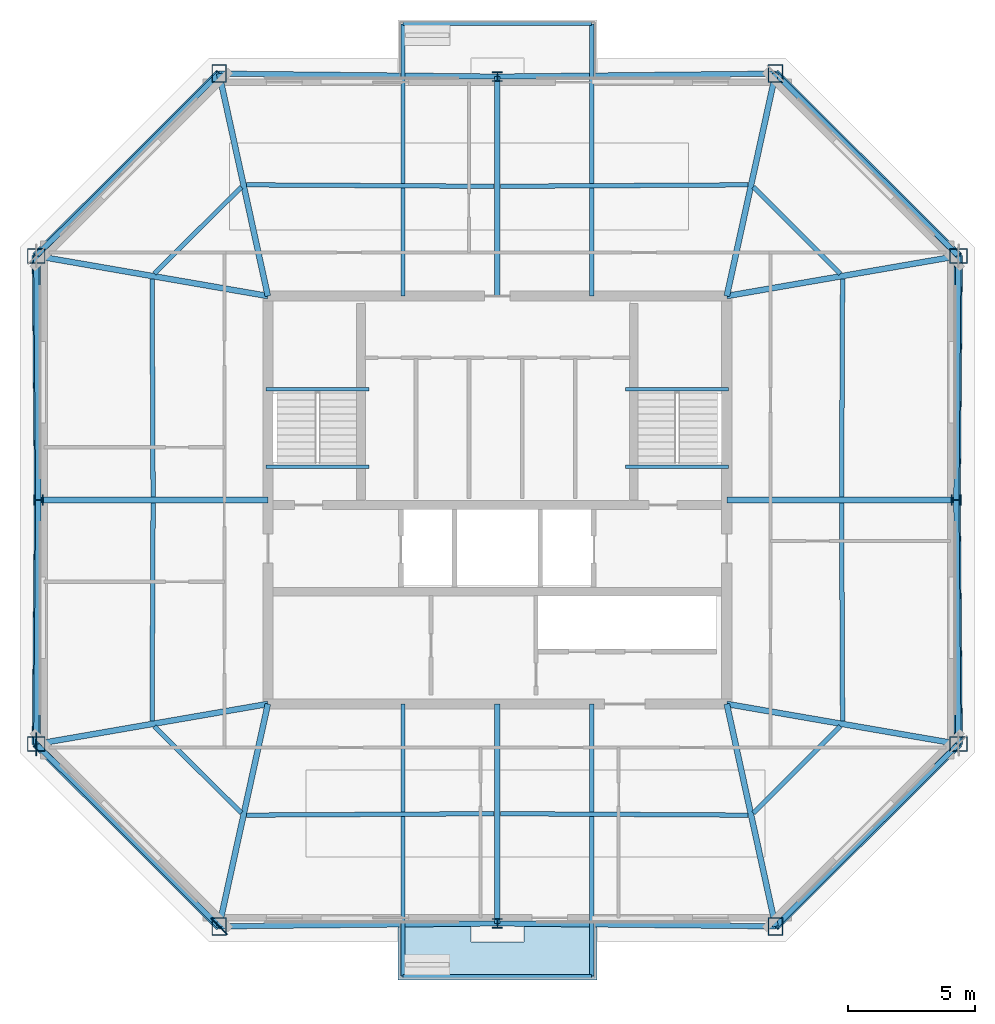
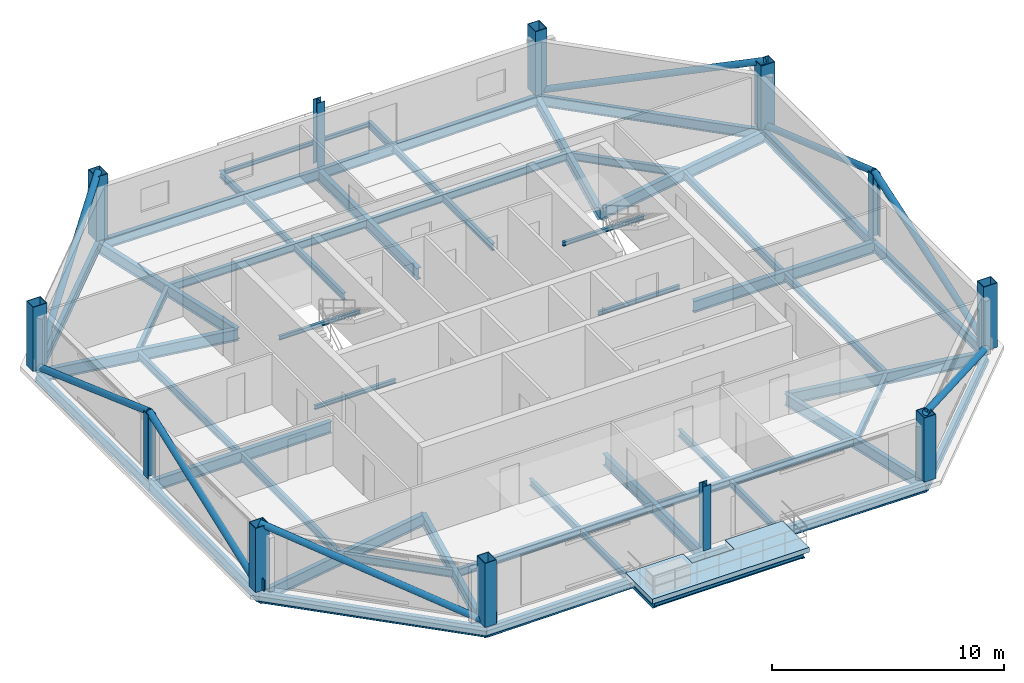
# One storey, part 1 of 6: 46 beams, 12 columns, 8 members, 2 plates, 1 slab.
"""IFC4 building model written with IfcOpenShell, lengths in metres."""

from ifc_helpers import new_model, si_unit, direction, frame, origin, origin_2d, place, context, subcontext, project, spatial, polyline, rectangle, hollow_rectangle, hollow_circle, i_section, outline, extrude, material, layer, layer_set, material_profile, profile_set, type_object, element, save


model = new_model("IFC4")

# Units and contexts
model_context = context("Model", 3, precision=1e-05, world=origin(), true_north=direction((0.0, 1.0)))
body_context = subcontext(model_context, "Body", "Model", "MODEL_VIEW")
ifc_project = project(units=[si_unit("LENGTHUNIT", "METRE"), si_unit("AREAUNIT", "SQUARE_METRE"), si_unit("VOLUMEUNIT", "CUBIC_METRE"), si_unit("PLANEANGLEUNIT", "RADIAN"), si_unit("MASSUNIT", "GRAM", prefix="KILO")], contexts=[model_context])

# Site, building, storey
site_placement = place(None, origin())
site = spatial("IfcSite", under=ifc_project, at=site_placement, CompositionType="ELEMENT")
building_placement = place(site_placement, origin())
building = spatial("IfcBuilding", under=site, at=building_placement, Name="Caelvoria Tower", CompositionType="ELEMENT")
storey_placement = place(building_placement, frame((0.0, 0.0, 261.0)))
storey = spatial("IfcBuildingStorey", under=building, at=storey_placement, Name="L69", CompositionType="ELEMENT", Elevation=261.0)

# Columns
ifc_material_1 = material(Name="Structural Steel ASTM A572 Gr.50", Category="steel")
ifc_material_profile_1 = material_profile(ifc_material_1, hollow_rectangle(XDim=0.580078125, YDim=0.699951171875, WallThickness=0.031982421875, at=origin_2d()), Name="Structural Steel ASTM A572 Gr.50")
ifc_profile_set_1 = profile_set([ifc_material_profile_1], Name="BOX700X580X32 - Structural Steel ASTM A572 Gr.50")
column_type_1 = type_object("IfcColumnType", Name="Mega Box Column 700x580x32", PredefinedType="COLUMN", material=ifc_profile_set_1)
for number, where, z_axis, x_axis, name in (
    (1, (35.0888671875, 15.275634765625, 0.0), (0.0, 0.0, 1.0), (1.0, 0.0, 0.0), "Perimeter Megaframe Column L69-P00"),
    (2, (56.9111328125, 15.275634765625, 0.0), (0.0, 0.0, 1.0), (1.0, 0.0, 0.0), "Perimeter Megaframe Column L69-P02"),
    (3, (64.086181640625, 22.427734375, 0.0), (0.0, 0.0, 1.0), (0.0, 1.0, 0.0), "Perimeter Megaframe Column L69-P03"),
    (4, (64.086181640625, 41.572265625, 0.0), (0.0, 0.0, 1.0), (0.0, 1.0, 0.0), "Perimeter Megaframe Column L69-P05"),
    (5, (56.9111328125, 48.724365234375, 0.0), (0.0, 0.0, 1.0), (1.0, 0.0, 0.0), "Perimeter Megaframe Column L69-P06"),
    (6, (35.0888671875, 48.724365234375, 0.0), (0.0, 0.0, 1.0), (1.0, 0.0, 0.0), "Perimeter Megaframe Column L69-P08"),
    (7, (27.913818359375, 41.572265625, 0.0), (0.0, 0.0, 1.0), (0.0, 1.0, 0.0), "Perimeter Megaframe Column L69-P09"),
    (8, (27.913818359375, 22.427734375, 0.0), (0.0, 0.0, 1.0), (0.0, 1.0, 0.0), "Perimeter Megaframe Column L69-P11"),
):
    element("IfcColumn", number, at=place(storey_placement, frame(where, z_axis=z_axis, x_axis=x_axis)), inside=storey, type_object=column_type_1, Name=name, PredefinedType="COLUMN", context=body_context, shape_type="SweptSolid", body=[
        extrude(hollow_rectangle(XDim=0.580078125, YDim=0.699951171875, WallThickness=0.031982421875, at=origin_2d()), origin(), (0.0, 0.0, 1.0), 3.373046875),
    ])
ifc_material_2 = material(Name="Structural Steel ASTM A992 Gr.50", Category="steel")
ifc_material_profile_2 = material_profile(ifc_material_2, i_section(OverallWidth=0.39501953125, OverallDepth=0.3798828125, WebThickness=0.018798828125, FlangeThickness=0.0302734375, FilletRadius=0.02490234375, at=origin_2d()), Name="Structural Steel ASTM A992 Gr.50")
ifc_profile_set_2 = profile_set([ifc_material_profile_2], Name="W360X237 - Structural Steel ASTM A992 Gr.50")
column_type_2 = type_object("IfcColumnType", Name="Summit Frame Column W360X237", PredefinedType="COLUMN", material=ifc_profile_set_2)
for number, where, z_axis, x_axis, name in (
    (9, (46.0, 15.392578125, 0.0), (0.0, 0.0, 1.0), (1.0, 0.0, 0.0), "Perimeter Megaframe Column L69-P01"),
    (10, (64.002685546875, 32.0, 0.0), (0.0, 0.0, 1.0), (0.0, 1.0, 0.0), "Perimeter Megaframe Column L69-P04"),
    (11, (46.0, 48.607421875, 0.0), (0.0, 0.0, 1.0), (1.0, 0.0, 0.0), "Perimeter Megaframe Column L69-P07"),
    (12, (27.997314453125, 32.0, 0.0), (0.0, 0.0, 1.0), (0.0, 1.0, 0.0), "Perimeter Megaframe Column L69-P10"),
):
    element("IfcColumn", number, at=place(storey_placement, frame(where, z_axis=z_axis, x_axis=x_axis)), inside=storey, type_object=column_type_2, Name=name, PredefinedType="COLUMN", context=body_context, shape_type="SweptSolid", body=[
        extrude(i_section(OverallWidth=0.39501953125, OverallDepth=0.3798828125, WebThickness=0.018798828125, FlangeThickness=0.0302734375, FilletRadius=0.02490234375, at=origin_2d()), origin(), (0.0, 0.0, 1.0), 3.373046875),
    ])

# Beams
ifc_material_profile_3 = material_profile(ifc_material_2, i_section(OverallWidth=0.134033203125, OverallDepth=0.2099609375, WebThickness=0.00634765625, FlangeThickness=0.01025390625, FilletRadius=0.010009765625, at=origin_2d()), Name="Structural Steel ASTM A992 Gr.50")
ifc_profile_set_3 = profile_set([ifc_material_profile_3], Name="W200X31.3 - Structural Steel ASTM A992 Gr.50")
beam_type_1 = type_object("IfcBeamType", Name="Canopy Edge Trim Beam W200X31.3", PredefinedType="BEAM", material=ifc_profile_set_3)
for number, where, z_axis, x_axis, name in (
    (13, (42.300048828125, 13.32275390625, -0.428955078125), (1.0, 0.0, 0.0), (0.0, 1.0, 0.0), "Tree Balcony Edge Beam TB-L69-S"),
    (14, (42.300048828125, 50.67724609375, -0.428955078125), (1.0, 0.0, 0.0), (0.0, 1.0, 0.0), "Tree Balcony Edge Beam TB-L69-N"),
):
    element("IfcBeam", number, at=place(storey_placement, frame(where, z_axis=z_axis, x_axis=x_axis)), inside=storey, type_object=beam_type_1, Name=name, PredefinedType="BEAM", context=body_context, shape_type="SweptSolid", body=[
        extrude(i_section(OverallWidth=0.134033203125, OverallDepth=0.2099609375, WebThickness=0.00634765625, FlangeThickness=0.01025390625, FilletRadius=0.010009765625, at=origin_2d()), origin(), (0.0, 0.0, 1.0), 7.39990234375),
    ])
for number, where, z_axis, x_axis, name in (
    (15, (36.929931640625, 36.35009765625, 1.4951171875), (1.0, 0.0, 0.0), (0.0, 1.0, 0.0), "ST-01 Half-Landing Support Beam L69"),
    (16, (36.929931640625, 33.300048828125, -0.304931640625), (1.0, 0.0, 0.0), (0.0, 1.0, 0.0), "ST-01 Floor-Landing Support Beam L69"),
    (17, (51.030029296875, 36.35009765625, 1.4951171875), (1.0, 0.0, 0.0), (0.0, 1.0, 0.0), "ST-02 Half-Landing Support Beam L69"),
    (18, (51.030029296875, 33.300048828125, -0.304931640625), (1.0, 0.0, 0.0), (0.0, 1.0, 0.0), "ST-02 Floor-Landing Support Beam L69"),
):
    element("IfcBeam", number, at=place(storey_placement, frame(where, z_axis=z_axis, x_axis=x_axis)), inside=storey, type_object=beam_type_1, Name=name, PredefinedType="BEAM", context=body_context, shape_type="SweptSolid", body=[
        extrude(i_section(OverallWidth=0.134033203125, OverallDepth=0.2099609375, WebThickness=0.00634765625, FlangeThickness=0.01025390625, FilletRadius=0.010009765625, at=origin_2d()), origin(), (0.0, 0.0, 1.0), 4.0400390625),
    ])
ifc_material_profile_4 = material_profile(ifc_material_2, i_section(OverallWidth=0.22802734375, OverallDepth=0.60302734375, WebThickness=0.010498046875, FlangeThickness=0.014892578125, FilletRadius=0.01806640625, at=origin_2d()), Name="Structural Steel ASTM A992 Gr.50")
ifc_profile_set_4 = profile_set([ifc_material_profile_4], Name="W610X101 - Structural Steel ASTM A992 Gr.50")
beam_type_2 = type_object("IfcBeamType", Name="Primary Floor Girder W610X101", PredefinedType="BEAM", material=ifc_profile_set_4)
beam_1_placement = place(storey_placement, frame((37.0, 24.0, -0.526611328125), z_axis=(-0.213983014438, -0.976837381314, 0.0), x_axis=(0.976837381314, -0.213983014438, 0.0)))
element("IfcBeam", 19, at=beam_1_placement, inside=storey, type_object=beam_type_2, Name="Primary Floor Girder L69-00", PredefinedType="BEAM", context=body_context, shape_type="SweptSolid", body=[
    extrude(i_section(OverallWidth=0.22802734375, OverallDepth=0.60302734375, WebThickness=0.010498046875, FlangeThickness=0.014892578125, FilletRadius=0.01806640625, at=origin_2d()), origin(), (0.0, 0.0, 1.0), 8.93115234375),
])
beam_2_placement = place(storey_placement, frame((46.0, 24.0, -0.526611328125), z_axis=(0.0, -1.0, 0.0), x_axis=(1.0, 0.0, 0.0)))
element("IfcBeam", 20, at=beam_2_placement, inside=storey, type_object=beam_type_2, Name="Primary Floor Girder L69-01", PredefinedType="BEAM", context=body_context, shape_type="SweptSolid", body=[
    extrude(i_section(OverallWidth=0.22802734375, OverallDepth=0.60302734375, WebThickness=0.010498046875, FlangeThickness=0.014892578125, FilletRadius=0.01806640625, at=origin_2d()), origin(), (0.0, 0.0, 1.0), 8.607421875),
])
beam_3_placement = place(storey_placement, frame((55.0, 24.0, -0.526611328125), z_axis=(0.213983014438, -0.976837381314, 0.0), x_axis=(0.976837381314, 0.213983014438, 0.0)))
element("IfcBeam", 21, at=beam_3_placement, inside=storey, type_object=beam_type_2, Name="Primary Floor Girder L69-02", PredefinedType="BEAM", context=body_context, shape_type="SweptSolid", body=[
    extrude(i_section(OverallWidth=0.22802734375, OverallDepth=0.60302734375, WebThickness=0.010498046875, FlangeThickness=0.014892578125, FilletRadius=0.01806640625, at=origin_2d()), origin(), (0.0, 0.0, 1.0), 8.93115234375),
])
beam_4_placement = place(storey_placement, frame((55.0, 24.0, -0.526611328125), z_axis=(0.985356751055, -0.170505346395, 0.0), x_axis=(0.170505346395, 0.985356751055, 0.0)))
element("IfcBeam", 22, at=beam_4_placement, inside=storey, type_object=beam_type_2, Name="Primary Floor Girder L69-03", PredefinedType="BEAM", context=body_context, shape_type="SweptSolid", body=[
    extrude(i_section(OverallWidth=0.22802734375, OverallDepth=0.60302734375, WebThickness=0.010498046875, FlangeThickness=0.014892578125, FilletRadius=0.01806640625, at=origin_2d()), origin(), (0.0, 0.0, 1.0), 9.22119140625),
])
beam_5_placement = place(storey_placement, frame((55.0, 32.0, -0.526611328125), z_axis=(1.0, 0.0, 0.0), x_axis=(0.0, 1.0, 0.0)))
element("IfcBeam", 23, at=beam_5_placement, inside=storey, type_object=beam_type_2, Name="Primary Floor Girder L69-04", PredefinedType="BEAM", context=body_context, shape_type="SweptSolid", body=[
    extrude(i_section(OverallWidth=0.22802734375, OverallDepth=0.60302734375, WebThickness=0.010498046875, FlangeThickness=0.014892578125, FilletRadius=0.01806640625, at=origin_2d()), origin(), (0.0, 0.0, 1.0), 9.002685546875),
])
beam_6_placement = place(storey_placement, frame((55.0, 40.0, -0.526611328125), z_axis=(0.985356751055, 0.170505346395, 0.0), x_axis=(-0.170505346395, 0.985356751055, 0.0)))
element("IfcBeam", 24, at=beam_6_placement, inside=storey, type_object=beam_type_2, Name="Primary Floor Girder L69-05", PredefinedType="BEAM", context=body_context, shape_type="SweptSolid", body=[
    extrude(i_section(OverallWidth=0.22802734375, OverallDepth=0.60302734375, WebThickness=0.010498046875, FlangeThickness=0.014892578125, FilletRadius=0.01806640625, at=origin_2d()), origin(), (0.0, 0.0, 1.0), 9.22119140625),
])
beam_7_placement = place(storey_placement, frame((55.0, 40.0, -0.526611328125), z_axis=(0.213983014438, 0.976837381314, 0.0), x_axis=(-0.976837381314, 0.213983014438, 0.0)))
element("IfcBeam", 25, at=beam_7_placement, inside=storey, type_object=beam_type_2, Name="Primary Floor Girder L69-06", PredefinedType="BEAM", context=body_context, shape_type="SweptSolid", body=[
    extrude(i_section(OverallWidth=0.22802734375, OverallDepth=0.60302734375, WebThickness=0.010498046875, FlangeThickness=0.014892578125, FilletRadius=0.01806640625, at=origin_2d()), origin(), (0.0, 0.0, 1.0), 8.93115234375),
])
beam_8_placement = place(storey_placement, frame((46.0, 40.0, -0.526611328125), z_axis=(0.0, 1.0, 0.0), x_axis=(-1.0, 0.0, 0.0)))
element("IfcBeam", 26, at=beam_8_placement, inside=storey, type_object=beam_type_2, Name="Primary Floor Girder L69-07", PredefinedType="BEAM", context=body_context, shape_type="SweptSolid", body=[
    extrude(i_section(OverallWidth=0.22802734375, OverallDepth=0.60302734375, WebThickness=0.010498046875, FlangeThickness=0.014892578125, FilletRadius=0.01806640625, at=origin_2d()), origin(), (0.0, 0.0, 1.0), 8.607421875),
])
beam_9_placement = place(storey_placement, frame((37.0, 40.0, -0.526611328125), z_axis=(-0.213983014438, 0.976837381314, 0.0), x_axis=(-0.976837381314, -0.213983014438, 0.0)))
element("IfcBeam", 27, at=beam_9_placement, inside=storey, type_object=beam_type_2, Name="Primary Floor Girder L69-08", PredefinedType="BEAM", context=body_context, shape_type="SweptSolid", body=[
    extrude(i_section(OverallWidth=0.22802734375, OverallDepth=0.60302734375, WebThickness=0.010498046875, FlangeThickness=0.014892578125, FilletRadius=0.01806640625, at=origin_2d()), origin(), (0.0, 0.0, 1.0), 8.93115234375),
])
beam_10_placement = place(storey_placement, frame((37.0, 40.0, -0.526611328125), z_axis=(-0.985356751055, 0.170505346395, 0.0), x_axis=(-0.170505346395, -0.985356751055, 0.0)))
element("IfcBeam", 28, at=beam_10_placement, inside=storey, type_object=beam_type_2, Name="Primary Floor Girder L69-09", PredefinedType="BEAM", context=body_context, shape_type="SweptSolid", body=[
    extrude(i_section(OverallWidth=0.22802734375, OverallDepth=0.60302734375, WebThickness=0.010498046875, FlangeThickness=0.014892578125, FilletRadius=0.01806640625, at=origin_2d()), origin(), (0.0, 0.0, 1.0), 9.22119140625),
])
beam_11_placement = place(storey_placement, frame((37.0, 32.0, -0.526611328125), z_axis=(-1.0, 0.0, 0.0), x_axis=(0.0, -1.0, 0.0)))
element("IfcBeam", 29, at=beam_11_placement, inside=storey, type_object=beam_type_2, Name="Primary Floor Girder L69-10", PredefinedType="BEAM", context=body_context, shape_type="SweptSolid", body=[
    extrude(i_section(OverallWidth=0.22802734375, OverallDepth=0.60302734375, WebThickness=0.010498046875, FlangeThickness=0.014892578125, FilletRadius=0.01806640625, at=origin_2d()), origin(), (0.0, 0.0, 1.0), 9.002685546875),
])
beam_12_placement = place(storey_placement, frame((37.0, 24.0, -0.526611328125), z_axis=(-0.985356751055, -0.170505346395, 0.0), x_axis=(0.170505346395, -0.985356751055, 0.0)))
element("IfcBeam", 30, at=beam_12_placement, inside=storey, type_object=beam_type_2, Name="Primary Floor Girder L69-11", PredefinedType="BEAM", context=body_context, shape_type="SweptSolid", body=[
    extrude(i_section(OverallWidth=0.22802734375, OverallDepth=0.60302734375, WebThickness=0.010498046875, FlangeThickness=0.014892578125, FilletRadius=0.01806640625, at=origin_2d()), origin(), (0.0, 0.0, 1.0), 9.22119140625),
])
ifc_material_profile_5 = material_profile(ifc_material_2, i_section(OverallWidth=0.177978515625, OverallDepth=0.406982421875, WebThickness=0.0078125, FlangeThickness=0.0126953125, FilletRadius=0.013916015625, at=origin_2d()), Name="Structural Steel ASTM A992 Gr.50")
ifc_profile_set_5 = profile_set([ifc_material_profile_5], Name="W410X60 - Structural Steel ASTM A992 Gr.50")
beam_type_3 = type_object("IfcBeamType", Name="Secondary Floor Beam W410X60", PredefinedType="BEAM", material=ifc_profile_set_5)
for number, where, z_axis, x_axis, name in (
    (31, (36.16943359375, 19.638671875, -0.428466796875), (0.999982824516, 0.005860944763, 0.0), (-0.005860944763, 0.999982824516, 0.0), "Secondary Floor Beam L69-00"),
    (32, (46.125, 19.695556640625, -0.428466796875), (0.999982824516, -0.005860944763, 0.0), (0.005860944763, 0.999982824516, 0.0), "Secondary Floor Beam L69-01"),
):
    element("IfcBeam", number, at=place(storey_placement, frame(where, z_axis=z_axis, x_axis=x_axis)), inside=storey, type_object=beam_type_3, Name=name, PredefinedType="BEAM", context=body_context, shape_type="SweptSolid", body=[
        extrude(i_section(OverallWidth=0.177978515625, OverallDepth=0.406982421875, WebThickness=0.0078125, FlangeThickness=0.0126953125, FilletRadius=0.013916015625, at=origin_2d()), origin(), (0.0, 0.0, 1.0), 9.705810546875),
    ])
beam_13_placement = place(storey_placement, frame((56.044189453125, 19.72607421875, -0.428466796875), z_axis=(0.70822129044, 0.705990512519, 0.0), x_axis=(-0.705990512519, 0.70822129044, 0.0)))
element("IfcBeam", 33, at=beam_13_placement, inside=storey, type_object=beam_type_3, Name="Secondary Floor Beam L69-02", PredefinedType="BEAM", context=body_context, shape_type="SweptSolid", body=[
    extrude(i_section(OverallWidth=0.177978515625, OverallDepth=0.406982421875, WebThickness=0.0078125, FlangeThickness=0.0126953125, FilletRadius=0.013916015625, at=origin_2d()), origin(), (0.0, 0.0, 1.0), 4.8154296875),
])
for number, where, z_axis, x_axis, name in (
    (34, (59.54248046875, 23.3388671875, -0.428466796875), (-0.004747687025, 0.99998872967, 0.0), (-0.99998872967, -0.004747687025, 0.0), "Secondary Floor Beam L69-03"),
    (35, (59.501953125, 32.125, -0.428466796875), (0.004747687025, 0.99998872967, 0.0), (-0.99998872967, 0.004747687025, 0.0), "Secondary Floor Beam L69-04"),
):
    element("IfcBeam", number, at=place(storey_placement, frame(where, z_axis=z_axis, x_axis=x_axis)), inside=storey, type_object=beam_type_3, Name=name, PredefinedType="BEAM", context=body_context, shape_type="SweptSolid", body=[
        extrude(i_section(OverallWidth=0.177978515625, OverallDepth=0.406982421875, WebThickness=0.0078125, FlangeThickness=0.0126953125, FilletRadius=0.013916015625, at=origin_2d()), origin(), (0.0, 0.0, 1.0), 8.5361328125),
    ])
beam_14_placement = place(storey_placement, frame((59.45458984375, 40.874267578125, -0.428466796875), z_axis=(-0.70822129044, 0.705990512519, 0.0), x_axis=(-0.705990512519, -0.70822129044, 0.0)))
element("IfcBeam", 36, at=beam_14_placement, inside=storey, type_object=beam_type_3, Name="Secondary Floor Beam L69-05", PredefinedType="BEAM", context=body_context, shape_type="SweptSolid", body=[
    extrude(i_section(OverallWidth=0.177978515625, OverallDepth=0.406982421875, WebThickness=0.0078125, FlangeThickness=0.0126953125, FilletRadius=0.013916015625, at=origin_2d()), origin(), (0.0, 0.0, 1.0), 4.8154296875),
])
for number, where, z_axis, x_axis, name in (
    (37, (55.83056640625, 44.361328125, -0.428466796875), (-0.999982824516, -0.005860944763, 0.0), (0.005860944763, -0.999982824516, 0.0), "Secondary Floor Beam L69-06"),
    (38, (45.875, 44.304443359375, -0.428466796875), (-0.999982824516, 0.005860944763, 0.0), (-0.005860944763, -0.999982824516, 0.0), "Secondary Floor Beam L69-07"),
):
    element("IfcBeam", number, at=place(storey_placement, frame(where, z_axis=z_axis, x_axis=x_axis)), inside=storey, type_object=beam_type_3, Name=name, PredefinedType="BEAM", context=body_context, shape_type="SweptSolid", body=[
        extrude(i_section(OverallWidth=0.177978515625, OverallDepth=0.406982421875, WebThickness=0.0078125, FlangeThickness=0.0126953125, FilletRadius=0.013916015625, at=origin_2d()), origin(), (0.0, 0.0, 1.0), 9.705810546875),
    ])
beam_15_placement = place(storey_placement, frame((35.955810546875, 44.27392578125, -0.428466796875), z_axis=(-0.70822129044, -0.705990512519, 0.0), x_axis=(0.705990512519, -0.70822129044, 0.0)))
element("IfcBeam", 39, at=beam_15_placement, inside=storey, type_object=beam_type_3, Name="Secondary Floor Beam L69-08", PredefinedType="BEAM", context=body_context, shape_type="SweptSolid", body=[
    extrude(i_section(OverallWidth=0.177978515625, OverallDepth=0.406982421875, WebThickness=0.0078125, FlangeThickness=0.0126953125, FilletRadius=0.013916015625, at=origin_2d()), origin(), (0.0, 0.0, 1.0), 4.8154296875),
])
for number, where, z_axis, x_axis, name in (
    (40, (32.45751953125, 40.6611328125, -0.428466796875), (0.004747687025, -0.99998872967, 0.0), (0.99998872967, 0.004747687025, 0.0), "Secondary Floor Beam L69-09"),
    (41, (32.498046875, 31.875, -0.428466796875), (-0.004747687025, -0.99998872967, 0.0), (0.99998872967, -0.004747687025, 0.0), "Secondary Floor Beam L69-10"),
):
    element("IfcBeam", number, at=place(storey_placement, frame(where, z_axis=z_axis, x_axis=x_axis)), inside=storey, type_object=beam_type_3, Name=name, PredefinedType="BEAM", context=body_context, shape_type="SweptSolid", body=[
        extrude(i_section(OverallWidth=0.177978515625, OverallDepth=0.406982421875, WebThickness=0.0078125, FlangeThickness=0.0126953125, FilletRadius=0.013916015625, at=origin_2d()), origin(), (0.0, 0.0, 1.0), 8.5361328125),
    ])
beam_16_placement = place(storey_placement, frame((32.54541015625, 23.125732421875, -0.428466796875), z_axis=(0.70822129044, -0.705990512519, 0.0), x_axis=(0.705990512519, 0.70822129044, 0.0)))
element("IfcBeam", 42, at=beam_16_placement, inside=storey, type_object=beam_type_3, Name="Secondary Floor Beam L69-11", PredefinedType="BEAM", context=body_context, shape_type="SweptSolid", body=[
    extrude(i_section(OverallWidth=0.177978515625, OverallDepth=0.406982421875, WebThickness=0.0078125, FlangeThickness=0.0126953125, FilletRadius=0.013916015625, at=origin_2d()), origin(), (0.0, 0.0, 1.0), 4.8154296875),
])

# Members
ifc_material_profile_6 = material_profile(ifc_material_1, hollow_circle(Radius=0.162109375, WallThickness=0.0126953125, at=origin_2d()), Name="Structural Steel ASTM A572 Gr.50")
ifc_profile_set_6 = profile_set([ifc_material_profile_6], Name="CHS324X12.7 - Structural Steel ASTM A572 Gr.50")
member_type = type_object("IfcMemberType", Name="Summit Perimeter Mega Brace CHS324X12.7", PredefinedType="BRACE", material=ifc_profile_set_6)
for number, where, z_axis, x_axis, name in (
    (43, (64.086181640625, 22.427734375, 0.0), (-0.671932753945, -0.669783593413, 0.316063778643), (0.705973232241, -0.708238515868, 0.0), "Perimeter Chamfer Mega Brace L69 SE"),
    (44, (56.9111328125, 48.724365234375, 0.0), (0.671932753945, -0.669783593413, 0.316063778643), (0.705973232241, 0.708238515868, 0.0), "Perimeter Chamfer Mega Brace L69 NE"),
    (45, (27.913818359375, 41.572265625, 0.0), (0.671932753945, 0.669783593413, 0.316063778643), (-0.705973232241, 0.708238515868, 0.0), "Perimeter Chamfer Mega Brace L69 NW"),
    (46, (35.0888671875, 15.275634765625, 0.0), (-0.671932753945, 0.669783593413, 0.316063778643), (-0.705973232241, -0.708238515868, 0.0), "Perimeter Chamfer Mega Brace L69 SW"),
):
    element("IfcMember", number, at=place(storey_placement, frame(where, z_axis=z_axis, x_axis=x_axis)), inside=storey, type_object=member_type, Name=name, PredefinedType="BRACE", context=body_context, shape_type="SweptSolid", body=[
        extrude(hollow_circle(Radius=0.162109375, WallThickness=0.0126953125, at=origin_2d()), origin(), (0.0, 0.0, 1.0), 10.67822265625),
    ])
for number, where, z_axis, x_axis, name in (
    (47, (64.086181640625, 22.427734375, 0.0), (-0.008226081759, 0.943064952082, 0.332506883738), (-0.999961959339, -0.008722377833, 0.0), "Perimeter Cardinal Mega Brace L69 EA"),
    (48, (64.086181640625, 41.572265625, 0.0), (-0.008226081759, -0.943064952082, 0.332506883738), (0.999961959339, -0.008722377833, 0.0), "Perimeter Cardinal Mega Brace L69 EB"),
    (49, (27.913818359375, 41.572265625, 0.0), (0.008226081759, -0.943064952082, 0.332506883738), (0.999961959339, 0.008722377833, 0.0), "Perimeter Cardinal Mega Brace L69 WA"),
    (50, (27.913818359375, 22.427734375, 0.0), (0.008226081759, 0.943064952082, 0.332506883738), (-0.999961959339, 0.008722377833, 0.0), "Perimeter Cardinal Mega Brace L69 WB"),
):
    element("IfcMember", number, at=place(storey_placement, frame(where, z_axis=z_axis, x_axis=x_axis)), inside=storey, type_object=member_type, Name=name, PredefinedType="BRACE", context=body_context, shape_type="SweptSolid", body=[
        extrude(hollow_circle(Radius=0.162109375, WallThickness=0.0126953125, at=origin_2d()), origin(), (0.0, 0.0, 1.0), 10.150146484375),
    ])

# Beams
ifc_material_profile_7 = material_profile(ifc_material_2, i_section(OverallWidth=0.1708984375, OverallDepth=0.35498046875, WebThickness=0.007080078125, FlangeThickness=0.01171875, FilletRadius=0.012939453125, at=origin_2d()), Name="Structural Steel ASTM A992 Gr.50")
ifc_profile_set_7 = profile_set([ifc_material_profile_7], Name="W360X51 - Structural Steel ASTM A992 Gr.50")
beam_type_4 = type_object("IfcBeamType", Name="Tree Balcony Cantilever Beam W360X51", PredefinedType="BEAM", material=ifc_profile_set_7)
for number, where, z_axis, x_axis, name in (
    (51, (42.300048828125, 24.0, -0.428955078125), (0.0, -1.0, 0.0), (1.0, 0.0, 0.0), "Tree Balcony Cantilever Beam TB-L69-S L"),
    (52, (49.699951171875, 24.0, -0.428955078125), (0.0, -1.0, 0.0), (1.0, 0.0, 0.0), "Tree Balcony Cantilever Beam TB-L69-S R"),
    (53, (42.300048828125, 40.0, -0.428955078125), (0.0, 1.0, 0.0), (-1.0, 0.0, 0.0), "Tree Balcony Cantilever Beam TB-L69-N L"),
    (54, (49.699951171875, 40.0, -0.428955078125), (0.0, 1.0, 0.0), (-1.0, 0.0, 0.0), "Tree Balcony Cantilever Beam TB-L69-N R"),
):
    element("IfcBeam", number, at=place(storey_placement, frame(where, z_axis=z_axis, x_axis=x_axis)), inside=storey, type_object=beam_type_4, Name=name, PredefinedType="BEAM", context=body_context, shape_type="SweptSolid", body=[
        extrude(i_section(OverallWidth=0.1708984375, OverallDepth=0.35498046875, WebThickness=0.007080078125, FlangeThickness=0.01171875, FilletRadius=0.012939453125, at=origin_2d()), origin(), (0.0, 0.0, 1.0), 10.67724609375),
    ])
ifc_material_profile_8 = material_profile(ifc_material_2, i_section(OverallWidth=0.208984375, OverallDepth=0.532958984375, WebThickness=0.01025390625, FlangeThickness=0.015625, FilletRadius=0.01611328125, at=origin_2d()), Name="Structural Steel ASTM A992 Gr.50")
ifc_profile_set_8 = profile_set([ifc_material_profile_8], Name="W530X92 - Structural Steel ASTM A992 Gr.50")
beam_type_5 = type_object("IfcBeamType", Name="Upper Zone Spandrel W530X92", PredefinedType="BEAM", material=ifc_profile_set_8)
for number, where, z_axis, x_axis, name in (
    (55, (35.0888671875, 15.275634765625, -0.491455078125), (0.99994256931, 0.010717186313, 0.0), (-0.010717186313, 0.99994256931, 0.0), "Perimeter Spandrel Girder L69-00"),
    (56, (46.0, 15.392578125, -0.491455078125), (0.99994256931, -0.010717186313, 0.0), (0.010717186313, 0.99994256931, 0.0), "Perimeter Spandrel Girder L69-01"),
):
    element("IfcBeam", number, at=place(storey_placement, frame(where, z_axis=z_axis, x_axis=x_axis)), inside=storey, type_object=beam_type_5, Name=name, PredefinedType="BEAM", context=body_context, shape_type="SweptSolid", body=[
        extrude(i_section(OverallWidth=0.208984375, OverallDepth=0.532958984375, WebThickness=0.01025390625, FlangeThickness=0.015625, FilletRadius=0.01611328125, at=origin_2d()), origin(), (0.0, 0.0, 1.0), 10.911865234375),
    ])
beam_17_placement = place(storey_placement, frame((56.9111328125, 15.275634765625, -0.491455078125), z_axis=(0.708238515868, 0.705973232241, 0.0), x_axis=(-0.705973232241, 0.708238515868, 0.0)))
element("IfcBeam", 57, at=beam_17_placement, inside=storey, type_object=beam_type_5, Name="Perimeter Spandrel Girder L69-02", PredefinedType="BEAM", context=body_context, shape_type="SweptSolid", body=[
    extrude(i_section(OverallWidth=0.208984375, OverallDepth=0.532958984375, WebThickness=0.01025390625, FlangeThickness=0.015625, FilletRadius=0.01611328125, at=origin_2d()), origin(), (0.0, 0.0, 1.0), 10.130859375),
])
for number, where, z_axis, x_axis, name in (
    (58, (64.086181640625, 22.427734375, -0.491455078125), (-0.008722377833, 0.999961959339, 0.0), (-0.999961959339, -0.008722377833, 0.0), "Perimeter Spandrel Girder L69-03"),
    (59, (64.002685546875, 32.0, -0.491455078125), (0.008722377833, 0.999961959339, 0.0), (-0.999961959339, 0.008722377833, 0.0), "Perimeter Spandrel Girder L69-04"),
):
    element("IfcBeam", number, at=place(storey_placement, frame(where, z_axis=z_axis, x_axis=x_axis)), inside=storey, type_object=beam_type_5, Name=name, PredefinedType="BEAM", context=body_context, shape_type="SweptSolid", body=[
        extrude(i_section(OverallWidth=0.208984375, OverallDepth=0.532958984375, WebThickness=0.01025390625, FlangeThickness=0.015625, FilletRadius=0.01611328125, at=origin_2d()), origin(), (0.0, 0.0, 1.0), 9.572509765625),
    ])
beam_18_placement = place(storey_placement, frame((64.086181640625, 41.572265625, -0.491455078125), z_axis=(-0.708238515868, 0.705973232241, 0.0), x_axis=(-0.705973232241, -0.708238515868, 0.0)))
element("IfcBeam", 60, at=beam_18_placement, inside=storey, type_object=beam_type_5, Name="Perimeter Spandrel Girder L69-05", PredefinedType="BEAM", context=body_context, shape_type="SweptSolid", body=[
    extrude(i_section(OverallWidth=0.208984375, OverallDepth=0.532958984375, WebThickness=0.01025390625, FlangeThickness=0.015625, FilletRadius=0.01611328125, at=origin_2d()), origin(), (0.0, 0.0, 1.0), 10.130859375),
])
for number, where, z_axis, x_axis, name in (
    (61, (56.9111328125, 48.724365234375, -0.491455078125), (-0.99994256931, -0.010717186313, 0.0), (0.010717186313, -0.99994256931, 0.0), "Perimeter Spandrel Girder L69-06"),
    (62, (46.0, 48.607421875, -0.491455078125), (-0.99994256931, 0.010717186313, 0.0), (-0.010717186313, -0.99994256931, 0.0), "Perimeter Spandrel Girder L69-07"),
):
    element("IfcBeam", number, at=place(storey_placement, frame(where, z_axis=z_axis, x_axis=x_axis)), inside=storey, type_object=beam_type_5, Name=name, PredefinedType="BEAM", context=body_context, shape_type="SweptSolid", body=[
        extrude(i_section(OverallWidth=0.208984375, OverallDepth=0.532958984375, WebThickness=0.01025390625, FlangeThickness=0.015625, FilletRadius=0.01611328125, at=origin_2d()), origin(), (0.0, 0.0, 1.0), 10.911865234375),
    ])
beam_19_placement = place(storey_placement, frame((35.0888671875, 48.724365234375, -0.491455078125), z_axis=(-0.708238515868, -0.705973232241, 0.0), x_axis=(0.705973232241, -0.708238515868, 0.0)))
element("IfcBeam", 63, at=beam_19_placement, inside=storey, type_object=beam_type_5, Name="Perimeter Spandrel Girder L69-08", PredefinedType="BEAM", context=body_context, shape_type="SweptSolid", body=[
    extrude(i_section(OverallWidth=0.208984375, OverallDepth=0.532958984375, WebThickness=0.01025390625, FlangeThickness=0.015625, FilletRadius=0.01611328125, at=origin_2d()), origin(), (0.0, 0.0, 1.0), 10.130859375),
])
for number, where, z_axis, x_axis, name in (
    (64, (27.913818359375, 41.572265625, -0.491455078125), (0.008722377833, -0.999961959339, 0.0), (0.999961959339, 0.008722377833, 0.0), "Perimeter Spandrel Girder L69-09"),
    (65, (27.997314453125, 32.0, -0.491455078125), (-0.008722377833, -0.999961959339, 0.0), (0.999961959339, -0.008722377833, 0.0), "Perimeter Spandrel Girder L69-10"),
):
    element("IfcBeam", number, at=place(storey_placement, frame(where, z_axis=z_axis, x_axis=x_axis)), inside=storey, type_object=beam_type_5, Name=name, PredefinedType="BEAM", context=body_context, shape_type="SweptSolid", body=[
        extrude(i_section(OverallWidth=0.208984375, OverallDepth=0.532958984375, WebThickness=0.01025390625, FlangeThickness=0.015625, FilletRadius=0.01611328125, at=origin_2d()), origin(), (0.0, 0.0, 1.0), 9.572509765625),
    ])
beam_20_placement = place(storey_placement, frame((27.913818359375, 22.427734375, -0.491455078125), z_axis=(0.708238515868, -0.705973232241, 0.0), x_axis=(0.705973232241, 0.708238515868, 0.0)))
element("IfcBeam", 66, at=beam_20_placement, inside=storey, type_object=beam_type_5, Name="Perimeter Spandrel Girder L69-11", PredefinedType="BEAM", context=body_context, shape_type="SweptSolid", body=[
    extrude(i_section(OverallWidth=0.208984375, OverallDepth=0.532958984375, WebThickness=0.01025390625, FlangeThickness=0.015625, FilletRadius=0.01611328125, at=origin_2d()), origin(), (0.0, 0.0, 1.0), 10.130859375),
])

# Plates
ifc_layer_1 = layer(ifc_material_1, 0.0400390625, Name="Structural Steel ASTM A572 Gr.50")
ifc_layer_set_1 = layer_set([ifc_layer_1], Name="Megaframe Node Gusset Plate 900x600x40 - Structural Steel ASTM A572 Gr.50")
plate_type = type_object("IfcPlateType", Name="Megaframe Node Gusset Plate 900x600x40", PredefinedType="USERDEFINED", material=ifc_layer_set_1)
for number, where, z_axis, x_axis, name in (
    (67, (35.0888671875, 15.275634765625, 0.02001953125), (0.0, 0.0, 1.0), (-0.708251129694, 0.705960577714, 0.0), "Chamfer Mega Brace Gusset L69 SW"),
    (68, (27.913818359375, 22.427734375, 0.050048828125), (0.0, 0.0, 1.0), (0.008733516549, 0.999961862117, 0.0), "Megaframe Node Gusset Plate ND-04"),
):
    element("IfcPlate", number, at=place(storey_placement, frame(where, z_axis=z_axis, x_axis=x_axis)), inside=storey, type_object=plate_type, Name=name, ObjectType="GUSSET_PLATE", PredefinedType="USERDEFINED", context=body_context, shape_type="SweptSolid", body=[
        extrude(rectangle(XDim=0.89990234375, YDim=0.0400390625, at=origin_2d()), origin(), (0.0, 0.0, 1.0), 0.60009765625),
    ])

# Slab
ifc_material_3 = material(Name="Concrete C45/55", Category="concrete")
ifc_layer_2 = layer(ifc_material_3, 0.25, Name="Concrete C45/55")
ifc_layer_set_2 = layer_set([ifc_layer_2], Name="Tree Balcony Structural Planter Slab 250 - Concrete C45/55")
slab_type = type_object("IfcSlabType", Name="Tree Balcony Structural Planter Slab 250", PredefinedType="FLOOR", material=ifc_layer_set_2)
slab_placement = place(storey_placement, frame((0.0, 0.0, -0.25)))
element("IfcSlab", 69, at=slab_placement, inside=storey, type_object=slab_type, Name="Tree Balcony Slab TB-L69-S", PredefinedType="FLOOR", context=body_context, shape_type="SweptSolid", body=[
    extrude(outline(polyline([(49.89990234375, 14.672607421875), (49.89990234375, 15.47265625), (47.0400390625, 15.47265625), (47.0400390625, 14.672607421875), (44.9599609375, 14.672607421875), (44.9599609375, 15.47265625), (42.10009765625, 15.47265625), (42.10009765625, 14.672607421875), (42.10009765625, 13.172607421875), (49.89990234375, 13.172607421875), (49.89990234375, 14.672607421875)])), origin(), (0.0, 0.0, 1.0), 0.25),
])

save(model, "model.ifc")
